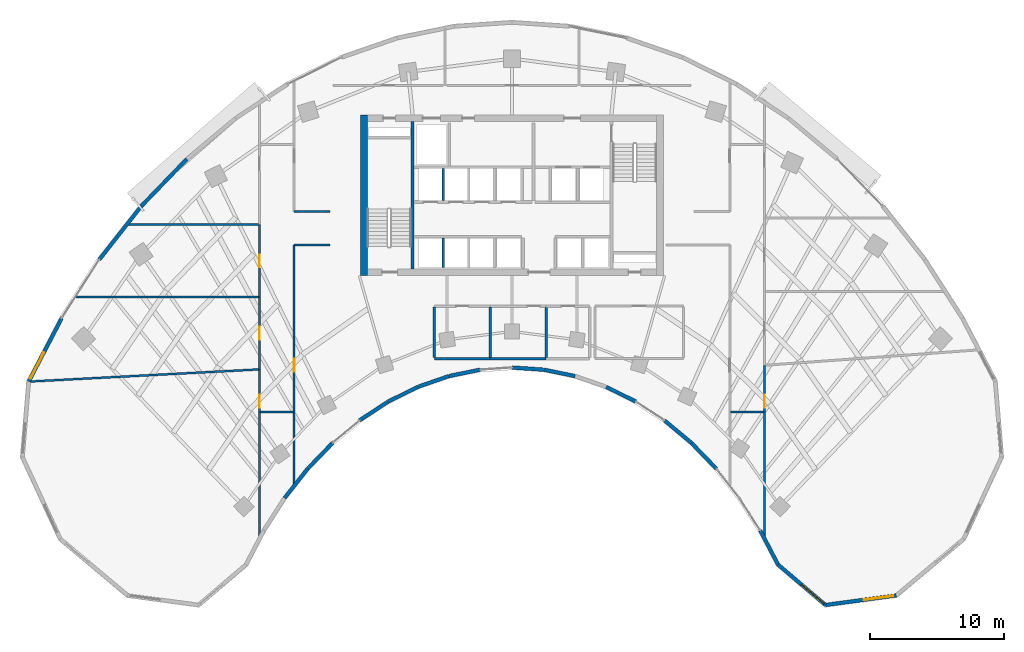
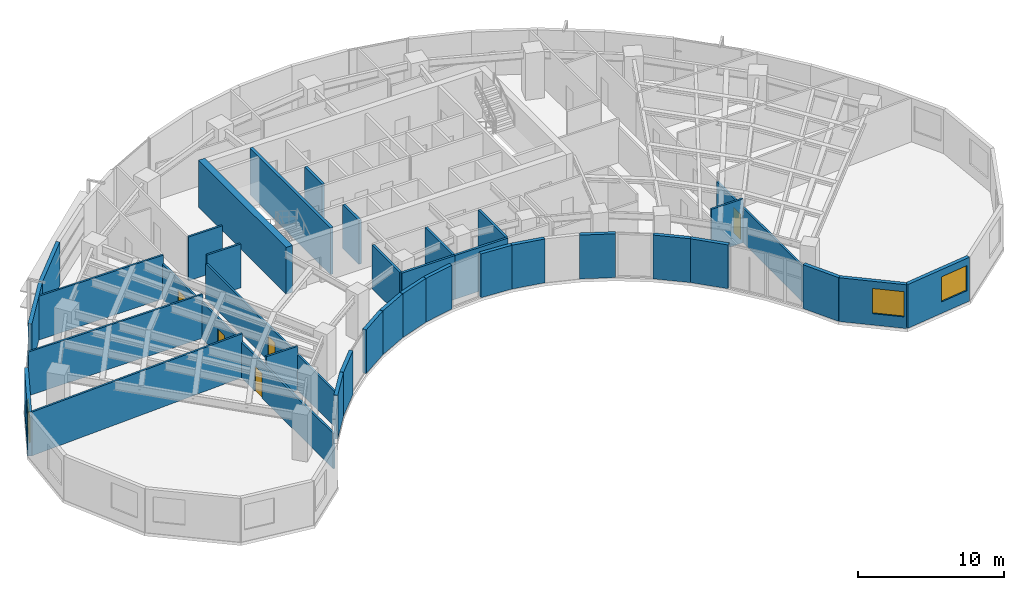
# One storey, part 8 of 13: 38 walls, 5 doors, 3 windows, 8 openings.
"""IFC4 building model written with IfcOpenShell, lengths in metres."""

import ifcopenshell
import ifcopenshell.guid

model = None  # the IFC model being written
_history = None  # IfcOwnerHistory: only IFC2X3 demands one
_inside = {}  # id of a spatial element -> (the spatial element, [elements in it])
_under = {}  # id of a project, library or spatial element -> (it, [spatial elements below it])
_declared = {}  # id of a project -> (the project, [libraries it declares])
_typed = {}  # id of a type object -> (the type object, [elements of that type])
_made_of = {}  # id of a material, layer set ... -> (it, [elements and type objects made of it])


def new_model(schema):
    """Start an empty IFC model of exactly this schema.

    Asked for "IFC4X3", IfcOpenShell would pick the latest addendum, in which some entities
    have other attributes; the version numbers below select the first issue.
    IFC2X3 requires an IfcOwnerHistory on every rooted entity: one is made here for all.
    """
    global model, _history
    if schema == "IFC4X3":
        model = ifcopenshell.file(schema_version=(4, 3, 0, 0))
    else:
        model = ifcopenshell.file(schema=schema)
    _inside.clear()
    _under.clear()
    _declared.clear()
    _typed.clear()
    _made_of.clear()
    _history = None
    if model.schema == "IFC2X3":
        org = make("IfcOrganization", Name="unknown")
        user = make(
            "IfcPersonAndOrganization",
            ThePerson=make("IfcPerson", FamilyName="unknown"),
            TheOrganization=org,
        )
        app = make(
            "IfcApplication",
            ApplicationDeveloper=org,
            Version="unknown",
            ApplicationFullName="unknown",
            ApplicationIdentifier="unknown",
        )
        _history = make(
            "IfcOwnerHistory",
            OwningUser=user,
            OwningApplication=app,
            ChangeAction="ADDED",
            CreationDate=0,
        )
    return model


def make(cls, **values):
    """One entity of the class cls with the attributes given. An attribute that is None is left unset."""
    return model.create_entity(
        cls, **{name: value for name, value in values.items() if value is not None}
    )


def rooted(cls, **values):
    """An entity with a GlobalId (a new one), such as an element, a storey or a relation."""
    return make(cls, GlobalId=ifcopenshell.guid.new(), OwnerHistory=_history, **values)


def si_unit(unit_type, name, prefix=None):
    """IfcSIUnit, for example si_unit("LENGTHUNIT", "METRE", prefix="MILLI")."""
    return make("IfcSIUnit", UnitType=unit_type, Prefix=prefix, Name=name)


def assignment(units):
    """IfcUnitAssignment: the units of a project."""
    return None if units is None else make("IfcUnitAssignment", Units=units)


def point(xyz):
    """IfcCartesianPoint."""
    return None if xyz is None else make("IfcCartesianPoint", Coordinates=xyz)


def direction(xyz):
    """IfcDirection."""
    return None if xyz is None else make("IfcDirection", DirectionRatios=xyz)


def frame(location, z_axis=None, x_axis=None):
    """IfcAxis2Placement3D, a coordinate frame: its origin and axes. An axis left out is left unset."""
    return make(
        "IfcAxis2Placement3D",
        Location=point(location),
        Axis=direction(z_axis),
        RefDirection=direction(x_axis),
    )


def frame_2d(location, x_axis=None):
    """IfcAxis2Placement2D, a coordinate frame in the plane: its origin and x axis."""
    return make(
        "IfcAxis2Placement2D", Location=point(location), RefDirection=direction(x_axis)
    )


def origin():
    """The frame at (0, 0, 0) with its axes left unset."""
    return frame((0.0, 0.0, 0.0))


def place(relative_to, where):
    """IfcLocalPlacement: puts the frame where relative to a parent placement (None: the world)."""
    return make(
        "IfcLocalPlacement", PlacementRelTo=relative_to, RelativePlacement=where
    )


def context(
    kind, dimensions, precision=None, world=None, true_north=None, identifier=None
):
    """IfcGeometricRepresentationContext, for example the 3D "Model" context."""
    return make(
        "IfcGeometricRepresentationContext",
        ContextIdentifier=identifier,
        ContextType=kind,
        CoordinateSpaceDimension=dimensions,
        Precision=precision,
        WorldCoordinateSystem=world,
        TrueNorth=true_north,
    )


def subcontext(parent, identifier, kind, view, scale=None):
    """IfcGeometricRepresentationSubContext, for example "Body" below "Model"."""
    return make(
        "IfcGeometricRepresentationSubContext",
        ContextIdentifier=identifier,
        ContextType=kind,
        ParentContext=parent,
        TargetScale=scale,
        TargetView=view,
    )


def project(units=None, contexts=None):
    """IfcProject with its units and contexts."""
    return rooted(
        "IfcProject",
        Name="project",
        RepresentationContexts=contexts,
        UnitsInContext=assignment(units),
    )


def spatial(cls, under=None, at=None, **own):
    """A site, building, storey or space (cls), placed at a placement, below another one or the project."""
    s = rooted(cls, ObjectPlacement=at, **own)
    if under is not None:
        _under.setdefault(under.id(), (under, []))[1].append(s)
    return s


def profile(cls, at=None, kind="AREA", **sizes):
    """A parametric profile (cls). Its sizes go by their IFC names, for example OverallWidth=200.0."""
    return make(cls, ProfileType=kind, Position=at, **sizes)


def rectangle(**sizes):
    """IfcRectangleProfileDef."""
    return profile("IfcRectangleProfileDef", **sizes)


def extrude(swept, where, along, depth):
    """IfcExtrudedAreaSolid: the profile swept, set in the frame where, extruded along a direction by depth."""
    return make(
        "IfcExtrudedAreaSolid",
        SweptArea=swept,
        Position=where,
        ExtrudedDirection=direction(along),
        Depth=depth,
    )


def shape(context_of_items, identifier, shape_type, items):
    """IfcShapeRepresentation: the items that make up one representation, for example the "Body"."""
    return make(
        "IfcShapeRepresentation",
        ContextOfItems=context_of_items,
        RepresentationIdentifier=identifier,
        RepresentationType=shape_type,
        Items=items,
    )


def source(mapping_origin, context_of_items, identifier, shape_type, items):
    """IfcRepresentationMap: a shape defined once, which mapped items show again and again."""
    return make(
        "IfcRepresentationMap",
        MappingOrigin=mapping_origin,
        MappedRepresentation=shape(context_of_items, identifier, shape_type, items),
    )


def transform(
    local_origin,
    x_axis=None,
    y_axis=None,
    z_axis=None,
    scale=None,
    scale2=None,
    scale3=None,
    uniform=True,
):
    """IfcCartesianTransformationOperator3D, or its non-uniform kind. x_axis, y_axis, z_axis: its Axis1, 2, 3."""
    if uniform:
        return make(
            "IfcCartesianTransformationOperator3D",
            Axis1=direction(x_axis),
            Axis2=direction(y_axis),
            LocalOrigin=point(local_origin),
            Scale=scale,
            Axis3=direction(z_axis),
        )
    return make(
        "IfcCartesianTransformationOperator3DnonUniform",
        Axis1=direction(x_axis),
        Axis2=direction(y_axis),
        LocalOrigin=point(local_origin),
        Scale=scale,
        Axis3=direction(z_axis),
        Scale2=scale2,
        Scale3=scale3,
    )


def mapped(mapping_source, mapping_target):
    """IfcMappedItem: shows the shape of a source again, moved by a transform."""
    return make(
        "IfcMappedItem", MappingSource=mapping_source, MappingTarget=mapping_target
    )


def material(Name=None, Category=None):
    """IfcMaterial."""
    return make("IfcMaterial", Name=Name, Category=Category)


def layer(
    of_material, thickness, ventilated=None, Name=None, Category=None, Priority=None
):
    """IfcMaterialLayer: one layer of a wall or slab, of a material (None: an air gap)."""
    return make(
        "IfcMaterialLayer",
        Material=of_material,
        LayerThickness=thickness,
        IsVentilated=ventilated,
        Name=Name,
        Category=Category,
        Priority=Priority,
    )


def layer_set(layers, Name=None):
    """IfcMaterialLayerSet."""
    return make("IfcMaterialLayerSet", MaterialLayers=layers, LayerSetName=Name)


def made_of(thing, what):
    """Note that an element or type object is made of a material, layer set ...; save() writes the relation."""
    if what is not None:
        _made_of.setdefault(what.id(), (what, []))[1].append(thing)
    return thing


def type_object(cls, material=None, **own):
    """A type object (cls), such as IfcWallType, which elements share."""
    return made_of(rooted(cls, **own), material)


def type_shapes(of_type, sources):
    """Give a type object the sources (RepresentationMaps) that its elements show as mapped items."""
    of_type.RepresentationMaps = sources


def element(
    cls,
    number,
    at=None,
    inside=None,
    cuts=None,
    type_object=None,
    material=None,
    context=None,
    identifier="Body",
    shape_type=None,
    held_by="IfcProductDefinitionShape",
    body=None,
    shapes=None,
    **own,
):
    """One element of the class cls, such as IfcWall. Its Tag is "e" and its number.

    at: its placement. inside: the storey or other place that contains it. cuts: it is an
    opening in that element (IfcRelVoidsElement). A single representation is given by context,
    identifier, shape_type and body (its items); several are given by shapes. held_by: the class
    of the entity that holds the representations. save() writes the other relations.
    """
    e = rooted(cls, Tag="e%d" % number, ObjectPlacement=at, **own)
    if body is not None:
        shapes = [shape(context, identifier, shape_type, body)]
    if shapes is not None:
        e.Representation = make(held_by, Representations=shapes)
    if inside is not None:
        _inside.setdefault(inside.id(), (inside, []))[1].append(e)
    if cuts is not None:
        rooted(
            "IfcRelVoidsElement", RelatingBuildingElement=cuts, RelatedOpeningElement=e
        )
    if type_object is not None:
        _typed.setdefault(type_object.id(), (type_object, []))[1].append(e)
    return made_of(e, material)


def fill(opening, filler):
    """IfcRelFillsElement: the door or window that sits in an opening."""
    return rooted(
        "IfcRelFillsElement",
        RelatingOpeningElement=opening,
        RelatedBuildingElement=filler,
    )


def aggregate(whole, parts):
    """IfcRelAggregates: a whole, such as a stair, and the parts it consists of."""
    return rooted("IfcRelAggregates", RelatingObject=whole, RelatedObjects=parts)


def save(model, path):
    """Write the relations noted so far, then the file.

    IfcRelAggregates (storeys below a building ...), IfcRelContainedInSpatialStructure (elements
    in a storey), IfcRelDefinesByType, IfcRelAssociatesMaterial and IfcRelDeclares: one each for
    every whole, place, type object, material and project.
    """
    for whole, parts in _under.values():
        aggregate(whole, parts)
    for where, things in _inside.values():
        rooted(
            "IfcRelContainedInSpatialStructure",
            RelatedElements=things,
            RelatingStructure=where,
        )
    for kind, things in _typed.values():
        rooted("IfcRelDefinesByType", RelatedObjects=things, RelatingType=kind)
    for what, things in _made_of.values():
        rooted("IfcRelAssociatesMaterial", RelatedObjects=things, RelatingMaterial=what)
    for by, libraries in _declared.values():
        rooted("IfcRelDeclares", RelatingContext=by, RelatedDefinitions=libraries)
    model.write(path)


model = new_model("IFC4")

# Units and contexts
model_context = context("Model", 3, precision=1e-05, world=origin(), true_north=direction((0.0, 1.0)))
body_context = subcontext(model_context, "Body", "Model", "MODEL_VIEW")
ifc_project = project(units=[si_unit("LENGTHUNIT", "METRE"), si_unit("AREAUNIT", "SQUARE_METRE"), si_unit("VOLUMEUNIT", "CUBIC_METRE"), si_unit("PLANEANGLEUNIT", "RADIAN"), si_unit("MASSUNIT", "GRAM", prefix="KILO")], contexts=[model_context])

# Site, building, storey
site_placement = place(None, origin())
site = spatial("IfcSite", under=ifc_project, at=site_placement, CompositionType="ELEMENT")
building_placement = place(site_placement, origin())
building = spatial("IfcBuilding", under=site, at=building_placement, Name="Breltana Convention Tower", CompositionType="ELEMENT")
storey_placement = place(building_placement, frame((0.0, 0.0, 96.0)))
storey = spatial("IfcBuildingStorey", under=building, at=storey_placement, Name="L22", CompositionType="ELEMENT", Elevation=96.0)

# Walls
ifc_material_1 = material(Name="Concrete C60/75", Category="concrete")
ifc_layer_1 = layer(ifc_material_1, 0.5, Name="Concrete C60/75")
ifc_layer_set_1 = layer_set([ifc_layer_1], Name="Concrete C60/75")
wall_type_1 = type_object("IfcWallType", Name="SW-CORE-500", PredefinedType="SHEAR", material=ifc_layer_set_1)
shared_shape_1 = source(origin(), body_context, "Body", "SweptSolid", [
    extrude(rectangle(XDim=12.0, YDim=0.5, at=frame_2d((6.0, 0.0))), origin(), (0.0, 0.0, 1.0), 3.89990234375),
])
wall_1_placement = place(storey_placement, frame((36.949951171875, 60.199951171875, 0.0), z_axis=(0.0, 0.0, 1.0), x_axis=(0.0, 1.0, 0.0)))
element("IfcWall", 1, at=wall_1_placement, inside=storey, type_object=wall_type_1, Name="L22 West Core Shear Wall", PredefinedType="SHEAR", context=body_context, shape_type="MappedRepresentation", body=[
    mapped(shared_shape_1, transform((0.0, 0.0, 0.0), scale=1.0)),
])
ifc_material_2 = material(Name="Concrete C50/60", Category="concrete")
ifc_layer_2 = layer(ifc_material_2, 0.39990234375, Name="Concrete C50/60")
ifc_layer_set_2 = layer_set([ifc_layer_2], Name="Concrete C50/60")
wall_type_2 = type_object("IfcWallType", Name="SW-CORE-400", PredefinedType="SHEAR", material=ifc_layer_set_2)
shared_shape_2 = source(origin(), body_context, "Body", "SweptSolid", [
    extrude(rectangle(XDim=11.0, YDim=0.219970703125, at=frame_2d((5.5, 0.0))), origin(), (0.0, 0.0, 1.0), 3.89990234375),
])
wall_2_placement = place(storey_placement, frame((40.580078125, 60.699951171875, 0.0), z_axis=(0.0, 0.0, 1.0), x_axis=(0.0, 1.0, 0.0)))
element("IfcWall", 2, at=wall_2_placement, inside=storey, type_object=wall_type_2, Name="L22 Core West Stair Spine Wall", PredefinedType="SHEAR", context=body_context, shape_type="MappedRepresentation", body=[
    mapped(shared_shape_2, transform((0.0, 0.0, 0.0), scale=1.0)),
])

# Wall, opening, window
ifc_material_3 = material(Name="Limestone Buff Insulated Wall", Category="masonry")
ifc_layer_3 = layer(ifc_material_3, 0.280029296875, Name="Limestone Buff Insulated Wall")
ifc_layer_set_3 = layer_set([ifc_layer_3], Name="Limestone Buff Insulated Wall")
wall_type_3 = type_object("IfcWallType", Name="WL-EXT-NOSE-280", PredefinedType="SOLIDWALL", material=ifc_layer_set_3)
shared_shape_3 = source(origin(), body_context, "Body", "SweptSolid", [
    extrude(rectangle(XDim=5.32373046875, YDim=0.280029296875, at=frame_2d((2.661865234375, 0.0))), origin(), (0.0, 0.0, 1.0), 3.64990234375),
])
wall_3_placement = place(storey_placement, frame((76.685791015625, 36.321533203125, 0.0), z_axis=(0.0, 0.0, 1.0), x_axis=(-0.990931467223, -0.134368252451, 0.0)))
wall_3 = element("IfcWall", 3, at=wall_3_placement, inside=storey, type_object=wall_type_3, Name="L22 curved limestone nose wall E4", PredefinedType="SOLIDWALL", context=body_context, shape_type="MappedRepresentation", body=[
    mapped(shared_shape_3, transform((0.0, 0.0, 0.0), scale=1.0)),
])
opening_1_placement = place(wall_3_placement, frame((0.23095703125, 0.0, 0.949951171875)))
opening_1 = element("IfcOpeningElement", 4, at=opening_1_placement, cuts=wall_3, Name="Opening W-03", PredefinedType="OPENING", context=body_context, shape_type="SweptSolid", body=[
    extrude(rectangle(XDim=2.199951171875, YDim=2.10009765625, at=frame_2d((1.10009765625, 1.050048828125))), frame((0.0, 0.14990234375, 0.0), z_axis=(0.0, -1.0, 0.0), x_axis=(1.0, 0.0, 0.0)), (0.0, 0.0, 1.0), 0.300048828125),
])
ifc_material_4 = material(Name="Glass Low-E Insulated Window", Category="glass")
window_type = type_object("IfcWindowType", Name="WN-NOSE-2200X2100", PartitioningType="TRIPLE_PANEL_VERTICAL", PredefinedType="WINDOW", material=ifc_material_4)
shared_shape_4 = source(origin(), body_context, "Body", "SweptSolid", [
    extrude(rectangle(XDim=2.199951171875, YDim=2.10009765625, at=frame_2d((1.10009765625, 1.050048828125))), frame((0.0, 0.030029296875, 0.0), z_axis=(0.0, -1.0, 0.0), x_axis=(1.0, 0.0, 0.0)), (0.0, 0.0, 1.0), 0.06005859375),
])
type_shapes(window_type, [shared_shape_4])
window_1_placement = place(opening_1_placement, origin())
window_1 = element("IfcWindow", 5, at=window_1_placement, inside=storey, type_object=window_type, Name="L22 nose window E4", OverallHeight=2.10009765625, OverallWidth=2.199951171875, PartitioningType="TRIPLE_PANEL_VERTICAL", PredefinedType="WINDOW", context=body_context, shape_type="MappedRepresentation", body=[
    mapped(shared_shape_4, transform((0.0, 0.0, 0.0), scale=1.0)),
])
fill(opening_1, window_1)

shared_shape_5 = source(origin(), body_context, "Body", "SweptSolid", [
    extrude(rectangle(XDim=4.6591796875, YDim=0.280029296875, at=frame_2d((2.32958984375, 0.0))), origin(), (0.0, 0.0, 1.0), 3.64990234375),
])
wall_4_placement = place(storey_placement, frame((71.410400390625, 35.606201171875, 0.0), z_axis=(0.0, 0.0, 1.0), x_axis=(-0.761913458795, 0.647678841176, 0.0)))
wall_4 = element("IfcWall", 6, at=wall_4_placement, inside=storey, type_object=wall_type_3, Name="L22 curved limestone nose wall E5", PredefinedType="SOLIDWALL", context=body_context, shape_type="MappedRepresentation", body=[
    mapped(shared_shape_5, transform((0.0, 0.0, 0.0), scale=1.0)),
])
opening_2_placement = place(wall_4_placement, frame((0.159912109375, 0.0, 0.949951171875)))
opening_2 = element("IfcOpeningElement", 7, at=opening_2_placement, cuts=wall_4, Name="Opening W-03", PredefinedType="OPENING", context=body_context, shape_type="SweptSolid", body=[
    extrude(rectangle(XDim=2.199951171875, YDim=2.10009765625, at=frame_2d((1.10009765625, 1.050048828125))), frame((0.0, 0.14990234375, 0.0), z_axis=(0.0, -1.0, 0.0), x_axis=(1.0, 0.0, 0.0)), (0.0, 0.0, 1.0), 0.300048828125),
])
window_2_placement = place(opening_2_placement, origin())
window_2 = element("IfcWindow", 8, at=window_2_placement, inside=storey, type_object=window_type, Name="L22 nose window E5", OverallHeight=2.10009765625, OverallWidth=2.199951171875, PartitioningType="TRIPLE_PANEL_VERTICAL", PredefinedType="WINDOW", context=body_context, shape_type="MappedRepresentation", body=[
    mapped(shared_shape_4, transform((0.0, 0.0, 0.0), scale=1.0)),
])
fill(opening_2, window_2)

# Walls
shared_shape_6 = source(origin(), body_context, "Body", "SweptSolid", [
    extrude(rectangle(XDim=2.8798828125, YDim=0.280029296875, at=frame_2d((1.43994140625, 0.0))), origin(), (0.0, 0.0, 1.0), 3.64990234375),
])
wall_5_placement = place(storey_placement, frame((67.860595703125, 38.623779296875, 0.0), z_axis=(0.0, 0.0, 1.0), x_axis=(-0.461769086658, 0.887000175088, 0.0)))
element("IfcWall", 9, at=wall_5_placement, inside=storey, type_object=wall_type_3, Name="L22 curved limestone nose wall E6", PredefinedType="SOLIDWALL", context=body_context, shape_type="MappedRepresentation", body=[
    mapped(shared_shape_6, transform((0.0, 0.0, 0.0), scale=1.0)),
])
shared_shape_7 = source(origin(), body_context, "Body", "SweptSolid", [
    extrude(rectangle(XDim=2.679931640625, YDim=0.280029296875, at=frame_2d((1.33984375, 0.0))), origin(), (0.0, 0.0, 1.0), 3.64990234375),
])
for number, where, z_axis, x_axis, name in (
    (10, (63.260009765625, 45.780029296875, 0.0), (0.0, 0.0, 1.0), (-0.694561996568, 0.719432855049, 0.0), "L22 curved limestone nose wall E7"),
    (11, (34.601318359375, 47.7080078125, 0.0), (0.0, 0.0, 1.0), (-0.694561996568, -0.719432855049, 0.0), "L22 curved limestone nose wall E17"),
):
    element("IfcWall", number, at=place(storey_placement, frame(where, z_axis=z_axis, x_axis=x_axis)), inside=storey, type_object=wall_type_3, Name=name, PredefinedType="SOLIDWALL", context=body_context, shape_type="MappedRepresentation", body=[
        mapped(shared_shape_7, transform((0.0, 0.0, 0.0), scale=1.0)),
    ])
shared_shape_8 = source(origin(), body_context, "Body", "SweptSolid", [
    extrude(rectangle(XDim=2.600830078125, YDim=0.280029296875, at=frame_2d((1.30029296875, 0.0))), origin(), (0.0, 0.0, 1.0), 3.64990234375),
])
wall_6_placement = place(storey_placement, frame((61.384521484375, 47.72119140625, 0.0), z_axis=(0.0, 0.0, 1.0), x_axis=(-0.76796730295, 0.640489048775, 0.0)))
element("IfcWall", 12, at=wall_6_placement, inside=storey, type_object=wall_type_3, Name="L22 curved limestone nose wall E8", PredefinedType="SOLIDWALL", context=body_context, shape_type="MappedRepresentation", body=[
    mapped(shared_shape_8, transform((0.0, 0.0, 0.0), scale=1.0)),
])
shared_shape_9 = source(origin(), body_context, "Body", "SweptSolid", [
    extrude(rectangle(XDim=2.46240234375, YDim=0.280029296875, at=frame_2d((1.231201171875, 0.0))), origin(), (0.0, 0.0, 1.0), 3.64990234375),
])
for number, where, z_axis, x_axis, name in (
    (13, (57.239013671875, 50.797119140625, 0.0), (0.0, 0.0, 1.0), (-0.8959882207, 0.444077817917, 0.0), "L22 curved limestone nose wall E9"),
    (14, (40.96728515625, 51.890625, 0.0), (0.0, 0.0, 1.0), (-0.8959882207, -0.444077817917, 0.0), "L22 curved limestone nose wall E15"),
):
    element("IfcWall", number, at=place(storey_placement, frame(where, z_axis=z_axis, x_axis=x_axis)), inside=storey, type_object=wall_type_3, Name=name, PredefinedType="SOLIDWALL", context=body_context, shape_type="MappedRepresentation", body=[
        mapped(shared_shape_9, transform((0.0, 0.0, 0.0), scale=1.0)),
    ])
shared_shape_10 = source(origin(), body_context, "Body", "SweptSolid", [
    extrude(rectangle(XDim=2.41064453125, YDim=0.280029296875, at=frame_2d((1.205322265625, 0.0))), origin(), (0.0, 0.0, 1.0), 3.64990234375),
])
wall_7_placement = place(storey_placement, frame((43.26611328125, 52.688720703125, 0.0), z_axis=(0.0, 0.0, 1.0), x_axis=(-0.944880068161, -0.327416640982, 0.0)))
element("IfcWall", 15, at=wall_7_placement, inside=storey, type_object=wall_type_3, Name="L22 curved limestone nose wall E14", PredefinedType="SOLIDWALL", context=body_context, shape_type="MappedRepresentation", body=[
    mapped(shared_shape_10, transform((0.0, 0.0, 0.0), scale=1.0)),
])
shared_shape_11 = source(origin(), body_context, "Body", "SweptSolid", [
    extrude(rectangle(XDim=2.373779296875, YDim=0.280029296875, at=frame_2d((1.18701171875, 0.0))), origin(), (0.0, 0.0, 1.0), 3.64990234375),
])
for number, where, z_axis, x_axis, name in (
    (16, (52.711181640625, 52.695068359375, 0.0), (0.0, 0.0, 1.0), (-0.979619827472, 0.200860632341, 0.0), "L22 curved limestone nose wall E11"),
    (17, (45.6142578125, 53.171875, 0.0), (0.0, 0.0, 1.0), (-0.979619827472, -0.200860632341, 0.0), "L22 curved limestone nose wall E13"),
):
    element("IfcWall", number, at=place(storey_placement, frame(where, z_axis=z_axis, x_axis=x_axis)), inside=storey, type_object=wall_type_3, Name=name, PredefinedType="SOLIDWALL", context=body_context, shape_type="MappedRepresentation", body=[
        mapped(shared_shape_11, transform((0.0, 0.0, 0.0), scale=1.0)),
    ])
shared_shape_12 = source(origin(), body_context, "Body", "SweptSolid", [
    extrude(rectangle(XDim=2.35498046875, YDim=0.280029296875, at=frame_2d((1.177490234375, 0.0))), origin(), (0.0, 0.0, 1.0), 3.64990234375),
])
wall_8_placement = place(storey_placement, frame((50.36181640625, 53.175048828125, 0.0), z_axis=(0.0, 0.0, 1.0), x_axis=(-0.997699017577, 0.067798748701, 0.0)))
element("IfcWall", 18, at=wall_8_placement, inside=storey, type_object=wall_type_3, Name="L22 curved limestone nose wall E12", PredefinedType="SOLIDWALL", context=body_context, shape_type="MappedRepresentation", body=[
    mapped(shared_shape_12, transform((0.0, 0.0, 0.0), scale=1.0)),
])
shared_shape_13 = source(origin(), body_context, "Body", "SweptSolid", [
    extrude(rectangle(XDim=2.52734375, YDim=0.280029296875, at=frame_2d((1.263671875, 0.0))), origin(), (0.0, 0.0, 1.0), 3.64990234375),
])
wall_9_placement = place(storey_placement, frame((38.7421875, 50.7861328125, 0.0), z_axis=(0.0, 0.0, 1.0), x_axis=(-0.836011905051, -0.548711303523, 0.0)))
element("IfcWall", 19, at=wall_9_placement, inside=storey, type_object=wall_type_3, Name="L22 curved limestone nose wall E16", PredefinedType="SOLIDWALL", context=body_context, shape_type="MappedRepresentation", body=[
    mapped(shared_shape_13, transform((0.0, 0.0, 0.0), scale=1.0)),
])
shared_shape_14 = source(origin(), body_context, "Body", "SweptSolid", [
    extrude(rectangle(XDim=2.760498046875, YDim=0.280029296875, at=frame_2d((1.38037109375, 0.0))), origin(), (0.0, 0.0, 1.0), 3.64990234375),
])
wall_10_placement = place(storey_placement, frame((32.72802734375, 45.766357421875, 0.0), z_axis=(0.0, 0.0, 1.0), x_axis=(-0.618180818641, -0.786035925047, 0.0)))
element("IfcWall", 20, at=wall_10_placement, inside=storey, type_object=wall_type_3, Name="L22 curved limestone nose wall E18", PredefinedType="SOLIDWALL", context=body_context, shape_type="MappedRepresentation", body=[
    mapped(shared_shape_14, transform((0.0, 0.0, 0.0), scale=1.0)),
])

# Wall, opening, window
shared_shape_15 = source(origin(), body_context, "Body", "SweptSolid", [
    extrude(rectangle(XDim=5.315185546875, YDim=0.280029296875, at=frame_2d((2.65771484375, 0.0))), origin(), (0.0, 0.0, 1.0), 3.64990234375),
])
wall_11_placement = place(storey_placement, frame((11.92236328125, 52.305419921875, 0.0), z_axis=(0.0, 0.0, 1.0), x_axis=(0.461760527822, 0.887004630735, 0.0)))
wall_11 = element("IfcWall", 21, at=wall_11_placement, inside=storey, type_object=wall_type_3, Name="L22 curved limestone nose wall W7", PredefinedType="SOLIDWALL", context=body_context, shape_type="MappedRepresentation", body=[
    mapped(shared_shape_15, transform((0.0, 0.0, 0.0), scale=1.0)),
])
opening_3_placement = place(wall_11_placement, frame((0.228759765625, 0.0, 0.949951171875)))
opening_3 = element("IfcOpeningElement", 22, at=opening_3_placement, cuts=wall_11, Name="Opening W-03", PredefinedType="OPENING", context=body_context, shape_type="SweptSolid", body=[
    extrude(rectangle(XDim=2.199951171875, YDim=2.10009765625, at=frame_2d((1.10009765625, 1.050048828125))), frame((0.0, 0.14990234375, 0.0), z_axis=(0.0, -1.0, 0.0), x_axis=(1.0, 0.0, 0.0)), (0.0, 0.0, 1.0), 0.300048828125),
])
window_3_placement = place(opening_3_placement, origin())
window_3 = element("IfcWindow", 23, at=window_3_placement, inside=storey, type_object=window_type, Name="L22 nose window W7", OverallHeight=2.10009765625, OverallWidth=2.199951171875, PartitioningType="TRIPLE_PANEL_VERTICAL", PredefinedType="WINDOW", context=body_context, shape_type="MappedRepresentation", body=[
    mapped(shared_shape_4, transform((0.0, 0.0, 0.0), scale=1.0)),
])
fill(opening_3, window_3)

# Walls
shared_shape_16 = source(origin(), body_context, "Body", "SweptSolid", [
    extrude(rectangle(XDim=5.05810546875, YDim=0.280029296875, at=frame_2d((2.529052734375, 0.0))), origin(), (0.0, 0.0, 1.0), 3.64990234375),
])
wall_12_placement = place(storey_placement, frame((17.1884765625, 61.400390625, 0.0), z_axis=(0.0, 0.0, 1.0), x_axis=(0.618145507434, 0.786063694391, 0.0)))
element("IfcWall", 24, at=wall_12_placement, inside=storey, type_object=wall_type_3, Name="L22 curved limestone nose wall E20", PredefinedType="SOLIDWALL", context=body_context, shape_type="MappedRepresentation", body=[
    mapped(shared_shape_16, transform((0.0, 0.0, 0.0), scale=1.0)),
])
shared_shape_17 = source(origin(), body_context, "Body", "SweptSolid", [
    extrude(rectangle(XDim=4.908447265625, YDim=0.280029296875, at=frame_2d((2.4541015625, 0.0))), origin(), (0.0, 0.0, 1.0), 3.64990234375),
])
wall_13_placement = place(storey_placement, frame((20.315185546875, 65.37646484375, 0.0), z_axis=(0.0, 0.0, 1.0), x_axis=(0.694613154328, 0.719383462302, 0.0)))
element("IfcWall", 25, at=wall_13_placement, inside=storey, type_object=wall_type_3, Name="L22 curved limestone nose wall E21", PredefinedType="SOLIDWALL", context=body_context, shape_type="MappedRepresentation", body=[
    mapped(shared_shape_17, transform((0.0, 0.0, 0.0), scale=1.0)),
])
ifc_material_5 = material(Name="Autoclaved Aerated Concrete Block", Category="concrete")
ifc_layer_4 = layer(ifc_material_5, 0.199951171875, Name="Autoclaved Aerated Concrete Block")
ifc_layer_set_4 = layer_set([ifc_layer_4], Name="Autoclaved Aerated Concrete Block")
wall_type_4 = type_object("IfcWallType", Name="WL-SHAFT-200", PredefinedType="SOLIDWALL", material=ifc_layer_set_4)
shared_shape_18 = source(origin(), body_context, "Body", "SweptSolid", [
    extrude(rectangle(XDim=2.39990234375, YDim=0.199951171875, at=frame_2d((1.199951171875, 0.0))), origin(), (0.0, 0.0, 1.0), 3.64990234375),
])
wall_14_placement = place(storey_placement, frame((42.8701171875, 65.800048828125, 0.0), z_axis=(0.0, 0.0, 1.0), x_axis=(0.0, 1.0, 0.0)))
element("IfcWall", 26, at=wall_14_placement, inside=storey, type_object=wall_type_4, Name="L22 interior partition W-L22-SH-M-DIV1", PredefinedType="SOLIDWALL", context=body_context, shape_type="MappedRepresentation", body=[
    mapped(shared_shape_18, transform((0.0, 0.0, 0.0), scale=1.0)),
])
shared_shape_19 = source(origin(), body_context, "Body", "SweptSolid", [
    extrude(rectangle(XDim=2.199951171875, YDim=0.199951171875, at=frame_2d((1.10009765625, 0.0))), origin(), (0.0, 0.0, 1.0), 3.64990234375),
])
wall_15_placement = place(storey_placement, frame((42.8701171875, 60.800048828125, 0.0), z_axis=(0.0, 0.0, 1.0), x_axis=(0.0, 1.0, 0.0)))
element("IfcWall", 27, at=wall_15_placement, inside=storey, type_object=wall_type_4, Name="L22 interior partition W-L22-SH-S-DIV1", PredefinedType="SOLIDWALL", context=body_context, shape_type="MappedRepresentation", body=[
    mapped(shared_shape_19, transform((0.0, 0.0, 0.0), scale=1.0)),
])
ifc_material_6 = material(Name="Cement Board Wet-Area Partition")
ifc_layer_5 = layer(ifc_material_6, 0.175048828125, Name="Cement Board Wet-Area Partition")
ifc_layer_set_5 = layer_set([ifc_layer_5], Name="Cement Board Wet-Area Partition")
wall_type_5 = type_object("IfcWallType", Name="WL-WET-175", PredefinedType="PARTITIONING", material=ifc_layer_set_5)
shared_shape_20 = source(origin(), body_context, "Body", "SweptSolid", [
    extrude(rectangle(XDim=4.176025390625, YDim=0.175048828125, at=frame_2d((2.087890625, 0.0))), origin(), (0.0, 0.0, 1.0), 3.64990234375),
])
for number, where, z_axis, x_axis, name in (
    (28, (42.199951171875, 54.0, 0.0), (0.0, 0.0, 1.0), (1.0, 0.0, 0.0), "L22 interior partition W-L22-WCM-S"),
    (29, (46.3759765625, 54.0, 0.0), (0.0, 0.0, 1.0), (1.0, 0.0, 0.0), "L22 interior partition W-L22-WCF-S"),
):
    element("IfcWall", number, at=place(storey_placement, frame(where, z_axis=z_axis, x_axis=x_axis)), inside=storey, type_object=wall_type_5, Name=name, PredefinedType="PARTITIONING", context=body_context, shape_type="MappedRepresentation", body=[
        mapped(shared_shape_20, transform((0.0, 0.0, 0.0), scale=1.0)),
    ])
shared_shape_21 = source(origin(), body_context, "Body", "SweptSolid", [
    extrude(rectangle(XDim=3.7626953125, YDim=0.175048828125, at=frame_2d((1.88134765625, 0.0))), origin(), (0.0, 0.0, 1.0), 3.64990234375),
])
for number, where, z_axis, x_axis, name in (
    (30, (42.199951171875, 54.07861328125, 0.0), (0.0, 0.0, 1.0), (0.0, 1.0, 0.0), "L22 interior partition W-L22-WCM-W"),
    (31, (46.3759765625, 54.07861328125, 0.0), (0.0, 0.0, 1.0), (0.0, 1.0, 0.0), "L22 interior partition W-L22-WCM-E"),
    (32, (50.552001953125, 54.07861328125, 0.0), (0.0, 0.0, 1.0), (0.0, 1.0, 0.0), "L22 interior partition W-L22-WCF-E"),
):
    element("IfcWall", number, at=place(storey_placement, frame(where, z_axis=z_axis, x_axis=x_axis)), inside=storey, type_object=wall_type_5, Name=name, PredefinedType="PARTITIONING", context=body_context, shape_type="MappedRepresentation", body=[
        mapped(shared_shape_21, transform((0.0, 0.0, 0.0), scale=1.0)),
    ])
ifc_material_7 = material(Name="Gypsum Acoustic Drywall Partition")
ifc_layer_6 = layer(ifc_material_7, 0.14990234375, Name="Gypsum Acoustic Drywall Partition")
ifc_layer_set_6 = layer_set([ifc_layer_6], Name="Gypsum Acoustic Drywall Partition")
wall_type_6 = type_object("IfcWallType", Name="WL-PART-150", PredefinedType="PARTITIONING", material=ifc_layer_set_6)
shared_shape_22 = source(origin(), body_context, "Body", "SweptSolid", [
    extrude(rectangle(XDim=2.5, YDim=0.14990234375, at=frame_2d((1.25, 0.0))), origin(), (0.0, 0.0, 1.0), 3.64990234375),
])
for number, where, z_axis, x_axis, name in (
    (33, (29.199951171875, 50.0, 0.0), (0.0, 0.0, 1.0), (1.0, 0.0, 0.0), "L22 interior partition W-L22-CORNW-S"),
    (34, (64.300048828125, 50.0, 0.0), (0.0, 0.0, 1.0), (1.0, 0.0, 0.0), "L22 interior partition W-L22-CORNE-S"),
):
    element("IfcWall", number, at=place(storey_placement, frame(where, z_axis=z_axis, x_axis=x_axis)), inside=storey, type_object=wall_type_6, Name=name, PredefinedType="PARTITIONING", context=body_context, shape_type="MappedRepresentation", body=[
        mapped(shared_shape_22, transform((0.0, 0.0, 0.0), scale=1.0)),
    ])

# Wall, opening, door
shared_shape_23 = source(origin(), body_context, "Body", "SweptSolid", [
    extrude(rectangle(XDim=12.593994140625, YDim=0.14990234375, at=frame_2d((6.296875, 0.0))), origin(), (0.0, 0.0, 1.0), 2.94189453125),
])
wall_16_placement = place(storey_placement, frame((29.159912109375, 40.60595703125, 0.0), z_axis=(0.0, 0.0, 1.0), x_axis=(0.0, 1.0, 0.0)))
wall_16 = element("IfcWall", 35, at=wall_16_placement, inside=storey, type_object=wall_type_6, Name="L22 interior partition W-L22-ZW1-E", PredefinedType="PARTITIONING", context=body_context, shape_type="MappedRepresentation", body=[
    mapped(shared_shape_23, transform((0.0, 0.0, 0.0), scale=1.0)),
])
opening_4_placement = place(wall_16_placement, frame((9.744140625, 0.0, 0.0)))
opening_4 = element("IfcOpeningElement", 36, at=opening_4_placement, cuts=wall_16, Name="Opening D-17", PredefinedType="OPENING", context=body_context, shape_type="SweptSolid", body=[
    extrude(rectangle(XDim=0.949951171875, YDim=2.10009765625, at=frame_2d((0.47509765625, 1.050048828125))), frame((0.0, 0.0849609375, 0.0), z_axis=(0.0, -1.0, 0.0), x_axis=(1.0, 0.0, 0.0)), (0.0, 0.0, 1.0), 0.169921875),
])
ifc_material_8 = material(Name="Timber Oak Veneer Door", Category="wood")
door_type = type_object("IfcDoorType", Name="DR-INT-950", OperationType="NOTDEFINED", PredefinedType="DOOR", material=ifc_material_8)
shared_shape_24 = source(origin(), body_context, "Body", "SweptSolid", [
    extrude(rectangle(XDim=0.949951171875, YDim=2.10009765625, at=frame_2d((0.47509765625, 1.050048828125))), frame((0.0, 0.02490234375, 0.0), z_axis=(0.0, -1.0, 0.0), x_axis=(1.0, 0.0, 0.0)), (0.0, 0.0, 1.0), 0.050048828125),
])
type_shapes(door_type, [shared_shape_24])
door_1_placement = place(opening_4_placement, origin())
door_1 = element("IfcDoor", 37, at=door_1_placement, inside=storey, type_object=door_type, Name="L22 interior door D-L22-ZW1", OperationType="SINGLE_SWING_LEFT", OverallHeight=2.10009765625, OverallWidth=0.949951171875, PredefinedType="DOOR", context=body_context, shape_type="MappedRepresentation", body=[
    mapped(shared_shape_24, transform((0.0, 0.0, 0.0), scale=1.0)),
])
fill(opening_4, door_1)

# Wall
shared_shape_25 = source(origin(), body_context, "Body", "SweptSolid", [
    extrude(rectangle(XDim=17.132080078125, YDim=0.14990234375, at=frame_2d((8.56591796875, 0.0))), origin(), (0.0, 0.0, 1.0), 3.64990234375),
])
wall_17_placement = place(storey_placement, frame((12.0517578125, 52.294189453125, 0.0), z_axis=(0.0, 0.0, 1.0), x_axis=(0.998601444231, 0.05286923094, 0.0)))
element("IfcWall", 38, at=wall_17_placement, inside=storey, type_object=wall_type_6, Name="L22 interior partition W-L22-ZW1-N", PredefinedType="PARTITIONING", context=body_context, shape_type="MappedRepresentation", body=[
    mapped(shared_shape_25, transform((0.0, 0.0, 0.0), scale=1.0)),
])

# Wall, opening, door
shared_shape_26 = source(origin(), body_context, "Body", "SweptSolid", [
    extrude(rectangle(XDim=5.400146484375, YDim=0.14990234375, at=frame_2d((2.7001953125, 0.0))), origin(), (0.0, 0.0, 1.0), 3.02197265625),
])
wall_18_placement = place(storey_placement, frame((29.159912109375, 53.199951171875, 0.0), z_axis=(0.0, 0.0, 1.0), x_axis=(0.0, 1.0, 0.0)))
wall_18 = element("IfcWall", 39, at=wall_18_placement, inside=storey, type_object=wall_type_6, Name="L22 interior partition W-L22-ZW2-E", PredefinedType="PARTITIONING", context=body_context, shape_type="MappedRepresentation", body=[
    mapped(shared_shape_26, transform((0.0, 0.0, 0.0), scale=1.0)),
])
opening_5_placement = place(wall_18_placement, frame((2.22509765625, 0.0, 0.0)))
opening_5 = element("IfcOpeningElement", 40, at=opening_5_placement, cuts=wall_18, Name="Opening D-17", PredefinedType="OPENING", context=body_context, shape_type="SweptSolid", body=[
    extrude(rectangle(XDim=0.949951171875, YDim=2.10009765625, at=frame_2d((0.47509765625, 1.050048828125))), frame((0.0, 0.0849609375, 0.0), z_axis=(0.0, -1.0, 0.0), x_axis=(1.0, 0.0, 0.0)), (0.0, 0.0, 1.0), 0.169921875),
])
door_2_placement = place(opening_5_placement, origin())
door_2 = element("IfcDoor", 41, at=door_2_placement, inside=storey, type_object=door_type, Name="L22 interior door D-L22-ZW2", OperationType="SINGLE_SWING_RIGHT", OverallHeight=2.10009765625, OverallWidth=0.949951171875, PredefinedType="DOOR", context=body_context, shape_type="MappedRepresentation", body=[
    mapped(shared_shape_24, transform((0.0, 0.0, 0.0), scale=1.0)),
])
fill(opening_5, door_2)

# Wall
shared_shape_27 = source(origin(), body_context, "Body", "SweptSolid", [
    extrude(rectangle(XDim=13.757080078125, YDim=0.14990234375, at=frame_2d((6.87841796875, 0.0))), origin(), (0.0, 0.0, 1.0), 3.64990234375),
])
wall_19_placement = place(storey_placement, frame((15.40283203125, 58.60009765625, 0.0), z_axis=(0.0, 0.0, 1.0), x_axis=(1.0, 0.0, 0.0)))
element("IfcWall", 42, at=wall_19_placement, inside=storey, type_object=wall_type_6, Name="L22 interior partition W-L22-ZW2-N", PredefinedType="PARTITIONING", context=body_context, shape_type="MappedRepresentation", body=[
    mapped(shared_shape_27, transform((0.0, 0.0, 0.0), scale=1.0)),
])

# Wall, opening, door
shared_shape_28 = source(origin(), body_context, "Body", "SweptSolid", [
    extrude(rectangle(XDim=5.39990234375, YDim=0.14990234375, at=frame_2d((2.699951171875, 0.0))), origin(), (0.0, 0.0, 1.0), 2.94189453125),
])
wall_20_placement = place(storey_placement, frame((29.159912109375, 58.60009765625, 0.0), z_axis=(0.0, 0.0, 1.0), x_axis=(0.0, 1.0, 0.0)))
wall_20 = element("IfcWall", 43, at=wall_20_placement, inside=storey, type_object=wall_type_6, Name="L22 interior partition W-L22-ZW3-E", PredefinedType="PARTITIONING", context=body_context, shape_type="MappedRepresentation", body=[
    mapped(shared_shape_28, transform((0.0, 0.0, 0.0), scale=1.0)),
])
opening_6_placement = place(wall_20_placement, frame((2.22509765625, 0.0, 0.0)))
opening_6 = element("IfcOpeningElement", 44, at=opening_6_placement, cuts=wall_20, Name="Opening D-17", PredefinedType="OPENING", context=body_context, shape_type="SweptSolid", body=[
    extrude(rectangle(XDim=0.949951171875, YDim=2.10009765625, at=frame_2d((0.47509765625, 1.050048828125))), frame((0.0, 0.0849609375, 0.0), z_axis=(0.0, -1.0, 0.0), x_axis=(1.0, 0.0, 0.0)), (0.0, 0.0, 1.0), 0.169921875),
])
door_3_placement = place(opening_6_placement, origin())
door_3 = element("IfcDoor", 45, at=door_3_placement, inside=storey, type_object=door_type, Name="L22 interior door D-L22-ZW3", OperationType="SINGLE_SWING_LEFT", OverallHeight=2.10009765625, OverallWidth=0.949951171875, PredefinedType="DOOR", context=body_context, shape_type="MappedRepresentation", body=[
    mapped(shared_shape_24, transform((0.0, 0.0, 0.0), scale=1.0)),
])
fill(opening_6, door_3)

# Wall
shared_shape_29 = source(origin(), body_context, "Body", "SweptSolid", [
    extrude(rectangle(XDim=9.914306640625, YDim=0.14990234375, at=frame_2d((4.95703125, 0.0))), origin(), (0.0, 0.0, 1.0), 3.64990234375),
])
wall_21_placement = place(storey_placement, frame((19.24560546875, 64.0, 0.0), z_axis=(0.0, 0.0, 1.0), x_axis=(1.0, 0.0, 0.0)))
element("IfcWall", 46, at=wall_21_placement, inside=storey, type_object=wall_type_6, Name="L22 interior partition W-L22-ZW3-N", PredefinedType="PARTITIONING", context=body_context, shape_type="MappedRepresentation", body=[
    mapped(shared_shape_29, transform((0.0, 0.0, 0.0), scale=1.0)),
])

# Wall, opening, door
shared_shape_30 = source(origin(), body_context, "Body", "SweptSolid", [
    extrude(rectangle(XDim=12.89404296875, YDim=0.14990234375, at=frame_2d((6.447021484375, 0.0))), origin(), (0.0, 0.0, 1.0), 2.94189453125),
])
wall_22_placement = place(storey_placement, frame((66.840087890625, 40.60595703125, 0.0), z_axis=(0.0, 0.0, 1.0), x_axis=(0.0, 1.0, 0.0)))
wall_22 = element("IfcWall", 47, at=wall_22_placement, inside=storey, type_object=wall_type_6, Name="L22 interior partition W-L22-ZE1-W", PredefinedType="PARTITIONING", context=body_context, shape_type="MappedRepresentation", body=[
    mapped(shared_shape_30, transform((0.0, 0.0, 0.0), scale=1.0)),
])
opening_7_placement = place(wall_22_placement, frame((9.744140625, 0.0, 0.0)))
opening_7 = element("IfcOpeningElement", 48, at=opening_7_placement, cuts=wall_22, Name="Opening D-17", PredefinedType="OPENING", context=body_context, shape_type="SweptSolid", body=[
    extrude(rectangle(XDim=0.949951171875, YDim=2.10009765625, at=frame_2d((0.47509765625, 1.050048828125))), frame((0.0, 0.0849609375, 0.0), z_axis=(0.0, -1.0, 0.0), x_axis=(1.0, 0.0, 0.0)), (0.0, 0.0, 1.0), 0.169921875),
])
door_4_placement = place(opening_7_placement, origin())
door_4 = element("IfcDoor", 49, at=door_4_placement, inside=storey, type_object=door_type, Name="L22 interior door D-L22-ZE1", OperationType="SINGLE_SWING_LEFT", OverallHeight=2.10009765625, OverallWidth=0.949951171875, PredefinedType="DOOR", context=body_context, shape_type="MappedRepresentation", body=[
    mapped(shared_shape_24, transform((0.0, 0.0, 0.0), scale=1.0)),
])
fill(opening_7, door_4)

shared_shape_31 = source(origin(), body_context, "Body", "SweptSolid", [
    extrude(rectangle(XDim=17.973876953125, YDim=0.14990234375, at=frame_2d((8.98681640625, 0.0))), origin(), (0.0, 0.0, 1.0), 2.94189453125),
])
wall_23_placement = place(storey_placement, frame((31.739990234375, 44.526123046875, 0.0), z_axis=(0.0, 0.0, 1.0), x_axis=(0.0, 1.0, 0.0)))
wall_23 = element("IfcWall", 50, at=wall_23_placement, inside=storey, type_object=wall_type_6, Name="L22 interior partition W-L22-ZMW1-D", PredefinedType="PARTITIONING", context=body_context, shape_type="MappedRepresentation", body=[
    mapped(shared_shape_31, transform((0.0, 0.0, 0.0), scale=1.0)),
])
opening_8_placement = place(wall_23_placement, frame((8.511962890625, 0.0, 0.0)))
opening_8 = element("IfcOpeningElement", 51, at=opening_8_placement, cuts=wall_23, Name="Opening D-17", PredefinedType="OPENING", context=body_context, shape_type="SweptSolid", body=[
    extrude(rectangle(XDim=0.949951171875, YDim=2.10009765625, at=frame_2d((0.47509765625, 1.050048828125))), frame((0.0, 0.0849609375, 0.0), z_axis=(0.0, -1.0, 0.0), x_axis=(1.0, 0.0, 0.0)), (0.0, 0.0, 1.0), 0.169921875),
])
door_5_placement = place(opening_8_placement, origin())
door_5 = element("IfcDoor", 52, at=door_5_placement, inside=storey, type_object=door_type, Name="L22 interior door D-L22-ZMW1", OperationType="SINGLE_SWING_RIGHT", OverallHeight=2.10009765625, OverallWidth=0.949951171875, PredefinedType="DOOR", context=body_context, shape_type="MappedRepresentation", body=[
    mapped(shared_shape_24, transform((0.0, 0.0, 0.0), scale=1.0)),
])
fill(opening_8, door_5)

# Walls
shared_shape_32 = source(origin(), body_context, "Body", "SweptSolid", [
    extrude(rectangle(XDim=2.659912109375, YDim=0.14990234375, at=frame_2d((1.330078125, 0.0))), origin(), (0.0, 0.0, 1.0), 3.64990234375),
])
for number, where, z_axis, x_axis, name in (
    (53, (31.739990234375, 62.5, 0.0), (0.0, 0.0, 1.0), (1.0, 0.0, 0.0), "L22 interior partition W-L22-ZMW1-TN"),
    (54, (31.739990234375, 65.0, 0.0), (0.0, 0.0, 1.0), (1.0, 0.0, 0.0), "L22 interior partition W-L22-ZMW2-TS"),
):
    element("IfcWall", number, at=place(storey_placement, frame(where, z_axis=z_axis, x_axis=x_axis)), inside=storey, type_object=wall_type_6, Name=name, PredefinedType="PARTITIONING", context=body_context, shape_type="MappedRepresentation", body=[
        mapped(shared_shape_32, transform((0.0, 0.0, 0.0), scale=1.0)),
    ])

save(model, "model.ifc")
